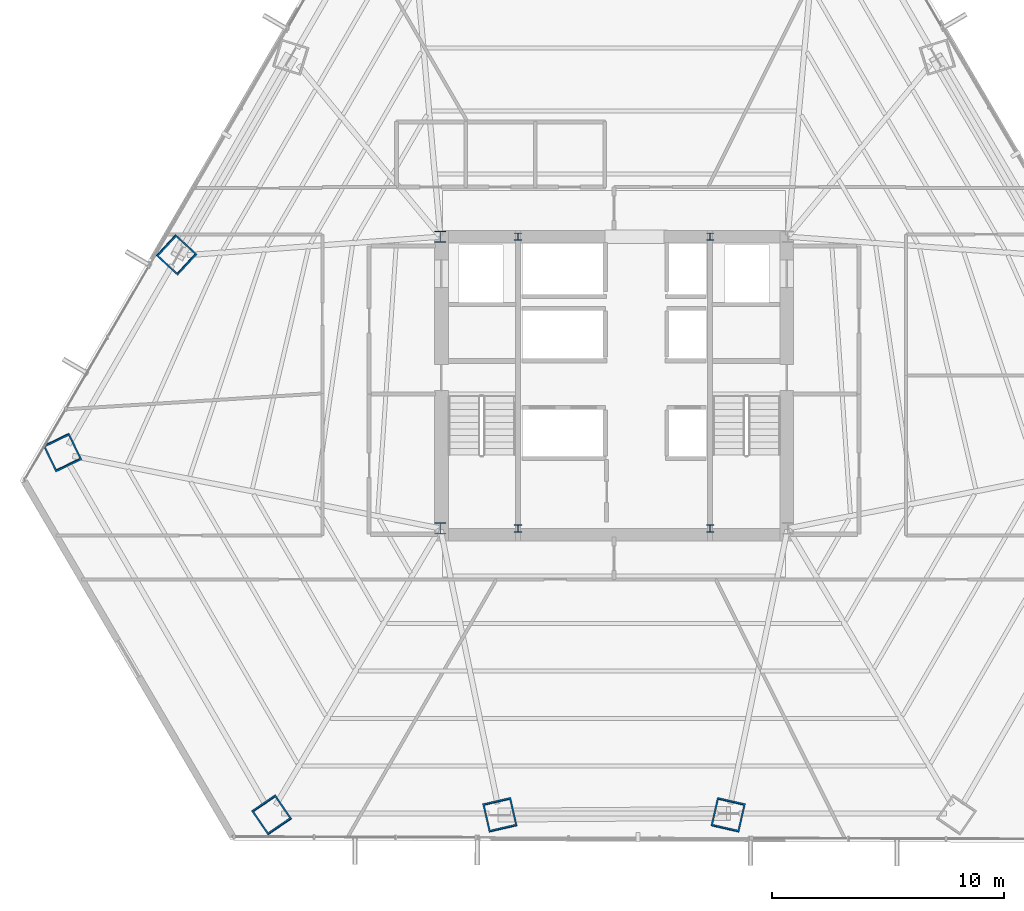
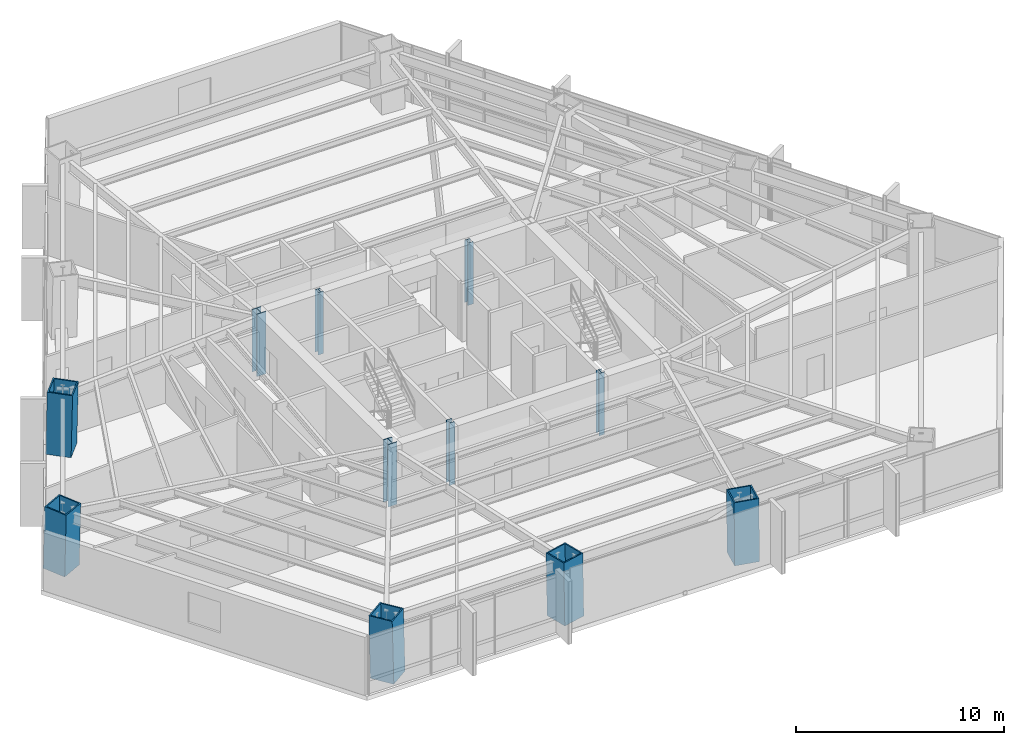
# One storey, part 1 of 33: 11 columns.
"""IFC4 building model written with IfcOpenShell, lengths in metres."""

import ifcopenshell
import ifcopenshell.guid

model = None  # the IFC model being written
_history = None  # IfcOwnerHistory: only IFC2X3 demands one
_inside = {}  # id of a spatial element -> (the spatial element, [elements in it])
_under = {}  # id of a project, library or spatial element -> (it, [spatial elements below it])
_declared = {}  # id of a project -> (the project, [libraries it declares])
_typed = {}  # id of a type object -> (the type object, [elements of that type])
_made_of = {}  # id of a material, layer set ... -> (it, [elements and type objects made of it])


def new_model(schema):
    """Start an empty IFC model of exactly this schema.

    Asked for "IFC4X3", IfcOpenShell would pick the latest addendum, in which some entities
    have other attributes; the version numbers below select the first issue.
    IFC2X3 requires an IfcOwnerHistory on every rooted entity: one is made here for all.
    """
    global model, _history
    if schema == "IFC4X3":
        model = ifcopenshell.file(schema_version=(4, 3, 0, 0))
    else:
        model = ifcopenshell.file(schema=schema)
    _inside.clear()
    _under.clear()
    _declared.clear()
    _typed.clear()
    _made_of.clear()
    _history = None
    if model.schema == "IFC2X3":
        org = make("IfcOrganization", Name="unknown")
        user = make(
            "IfcPersonAndOrganization",
            ThePerson=make("IfcPerson", FamilyName="unknown"),
            TheOrganization=org,
        )
        app = make(
            "IfcApplication",
            ApplicationDeveloper=org,
            Version="unknown",
            ApplicationFullName="unknown",
            ApplicationIdentifier="unknown",
        )
        _history = make(
            "IfcOwnerHistory",
            OwningUser=user,
            OwningApplication=app,
            ChangeAction="ADDED",
            CreationDate=0,
        )
    return model


def make(cls, **values):
    """One entity of the class cls with the attributes given. An attribute that is None is left unset."""
    return model.create_entity(
        cls, **{name: value for name, value in values.items() if value is not None}
    )


def rooted(cls, **values):
    """An entity with a GlobalId (a new one), such as an element, a storey or a relation."""
    return make(cls, GlobalId=ifcopenshell.guid.new(), OwnerHistory=_history, **values)


def si_unit(unit_type, name, prefix=None):
    """IfcSIUnit, for example si_unit("LENGTHUNIT", "METRE", prefix="MILLI")."""
    return make("IfcSIUnit", UnitType=unit_type, Prefix=prefix, Name=name)


def assignment(units):
    """IfcUnitAssignment: the units of a project."""
    return None if units is None else make("IfcUnitAssignment", Units=units)


def point(xyz):
    """IfcCartesianPoint."""
    return None if xyz is None else make("IfcCartesianPoint", Coordinates=xyz)


def direction(xyz):
    """IfcDirection."""
    return None if xyz is None else make("IfcDirection", DirectionRatios=xyz)


def frame(location, z_axis=None, x_axis=None):
    """IfcAxis2Placement3D, a coordinate frame: its origin and axes. An axis left out is left unset."""
    return make(
        "IfcAxis2Placement3D",
        Location=point(location),
        Axis=direction(z_axis),
        RefDirection=direction(x_axis),
    )


def frame_2d(location, x_axis=None):
    """IfcAxis2Placement2D, a coordinate frame in the plane: its origin and x axis."""
    return make(
        "IfcAxis2Placement2D", Location=point(location), RefDirection=direction(x_axis)
    )


def origin():
    """The frame at (0, 0, 0) with its axes left unset."""
    return frame((0.0, 0.0, 0.0))


def origin_2d():
    """The frame at (0, 0) in the plane with its x axis left unset."""
    return frame_2d((0.0, 0.0))


def place(relative_to, where):
    """IfcLocalPlacement: puts the frame where relative to a parent placement (None: the world)."""
    return make(
        "IfcLocalPlacement", PlacementRelTo=relative_to, RelativePlacement=where
    )


def context(
    kind, dimensions, precision=None, world=None, true_north=None, identifier=None
):
    """IfcGeometricRepresentationContext, for example the 3D "Model" context."""
    return make(
        "IfcGeometricRepresentationContext",
        ContextIdentifier=identifier,
        ContextType=kind,
        CoordinateSpaceDimension=dimensions,
        Precision=precision,
        WorldCoordinateSystem=world,
        TrueNorth=true_north,
    )


def subcontext(parent, identifier, kind, view, scale=None):
    """IfcGeometricRepresentationSubContext, for example "Body" below "Model"."""
    return make(
        "IfcGeometricRepresentationSubContext",
        ContextIdentifier=identifier,
        ContextType=kind,
        ParentContext=parent,
        TargetScale=scale,
        TargetView=view,
    )


def project(units=None, contexts=None):
    """IfcProject with its units and contexts."""
    return rooted(
        "IfcProject",
        Name="project",
        RepresentationContexts=contexts,
        UnitsInContext=assignment(units),
    )


def spatial(cls, under=None, at=None, **own):
    """A site, building, storey or space (cls), placed at a placement, below another one or the project."""
    s = rooted(cls, ObjectPlacement=at, **own)
    if under is not None:
        _under.setdefault(under.id(), (under, []))[1].append(s)
    return s


def profile(cls, at=None, kind="AREA", **sizes):
    """A parametric profile (cls). Its sizes go by their IFC names, for example OverallWidth=200.0."""
    return make(cls, ProfileType=kind, Position=at, **sizes)


def hollow_rectangle(**sizes):
    """IfcRectangleHollowProfileDef."""
    return profile("IfcRectangleHollowProfileDef", **sizes)


def i_section(**sizes):
    """IfcIShapeProfileDef."""
    return profile("IfcIShapeProfileDef", **sizes)


def extrude(swept, where, along, depth):
    """IfcExtrudedAreaSolid: the profile swept, set in the frame where, extruded along a direction by depth."""
    return make(
        "IfcExtrudedAreaSolid",
        SweptArea=swept,
        Position=where,
        ExtrudedDirection=direction(along),
        Depth=depth,
    )


def shape(context_of_items, identifier, shape_type, items):
    """IfcShapeRepresentation: the items that make up one representation, for example the "Body"."""
    return make(
        "IfcShapeRepresentation",
        ContextOfItems=context_of_items,
        RepresentationIdentifier=identifier,
        RepresentationType=shape_type,
        Items=items,
    )


def source(mapping_origin, context_of_items, identifier, shape_type, items):
    """IfcRepresentationMap: a shape defined once, which mapped items show again and again."""
    return make(
        "IfcRepresentationMap",
        MappingOrigin=mapping_origin,
        MappedRepresentation=shape(context_of_items, identifier, shape_type, items),
    )


def transform(
    local_origin,
    x_axis=None,
    y_axis=None,
    z_axis=None,
    scale=None,
    scale2=None,
    scale3=None,
    uniform=True,
):
    """IfcCartesianTransformationOperator3D, or its non-uniform kind. x_axis, y_axis, z_axis: its Axis1, 2, 3."""
    if uniform:
        return make(
            "IfcCartesianTransformationOperator3D",
            Axis1=direction(x_axis),
            Axis2=direction(y_axis),
            LocalOrigin=point(local_origin),
            Scale=scale,
            Axis3=direction(z_axis),
        )
    return make(
        "IfcCartesianTransformationOperator3DnonUniform",
        Axis1=direction(x_axis),
        Axis2=direction(y_axis),
        LocalOrigin=point(local_origin),
        Scale=scale,
        Axis3=direction(z_axis),
        Scale2=scale2,
        Scale3=scale3,
    )


def mapped(mapping_source, mapping_target):
    """IfcMappedItem: shows the shape of a source again, moved by a transform."""
    return make(
        "IfcMappedItem", MappingSource=mapping_source, MappingTarget=mapping_target
    )


def material(Name=None, Category=None):
    """IfcMaterial."""
    return make("IfcMaterial", Name=Name, Category=Category)


def material_profile(
    of_material, cross_section, Name=None, Category=None, Priority=None
):
    """IfcMaterialProfile: a cross section and its material."""
    return make(
        "IfcMaterialProfile",
        Name=Name,
        Material=of_material,
        Profile=cross_section,
        Priority=Priority,
        Category=Category,
    )


def profile_set(profiles, Name=None, composite=None):
    """IfcMaterialProfileSet."""
    return make(
        "IfcMaterialProfileSet",
        Name=Name,
        MaterialProfiles=profiles,
        CompositeProfile=composite,
    )


def made_of(thing, what):
    """Note that an element or type object is made of a material, layer set ...; save() writes the relation."""
    if what is not None:
        _made_of.setdefault(what.id(), (what, []))[1].append(thing)
    return thing


def type_object(cls, material=None, **own):
    """A type object (cls), such as IfcWallType, which elements share."""
    return made_of(rooted(cls, **own), material)


def type_shapes(of_type, sources):
    """Give a type object the sources (RepresentationMaps) that its elements show as mapped items."""
    of_type.RepresentationMaps = sources


def element(
    cls,
    number,
    at=None,
    inside=None,
    cuts=None,
    type_object=None,
    material=None,
    context=None,
    identifier="Body",
    shape_type=None,
    held_by="IfcProductDefinitionShape",
    body=None,
    shapes=None,
    **own,
):
    """One element of the class cls, such as IfcWall. Its Tag is "e" and its number.

    at: its placement. inside: the storey or other place that contains it. cuts: it is an
    opening in that element (IfcRelVoidsElement). A single representation is given by context,
    identifier, shape_type and body (its items); several are given by shapes. held_by: the class
    of the entity that holds the representations. save() writes the other relations.
    """
    e = rooted(cls, Tag="e%d" % number, ObjectPlacement=at, **own)
    if body is not None:
        shapes = [shape(context, identifier, shape_type, body)]
    if shapes is not None:
        e.Representation = make(held_by, Representations=shapes)
    if inside is not None:
        _inside.setdefault(inside.id(), (inside, []))[1].append(e)
    if cuts is not None:
        rooted(
            "IfcRelVoidsElement", RelatingBuildingElement=cuts, RelatedOpeningElement=e
        )
    if type_object is not None:
        _typed.setdefault(type_object.id(), (type_object, []))[1].append(e)
    return made_of(e, material)


def aggregate(whole, parts):
    """IfcRelAggregates: a whole, such as a stair, and the parts it consists of."""
    return rooted("IfcRelAggregates", RelatingObject=whole, RelatedObjects=parts)


def save(model, path):
    """Write the relations noted so far, then the file.

    IfcRelAggregates (storeys below a building ...), IfcRelContainedInSpatialStructure (elements
    in a storey), IfcRelDefinesByType, IfcRelAssociatesMaterial and IfcRelDeclares: one each for
    every whole, place, type object, material and project.
    """
    for whole, parts in _under.values():
        aggregate(whole, parts)
    for where, things in _inside.values():
        rooted(
            "IfcRelContainedInSpatialStructure",
            RelatedElements=things,
            RelatingStructure=where,
        )
    for kind, things in _typed.values():
        rooted("IfcRelDefinesByType", RelatedObjects=things, RelatingType=kind)
    for what, things in _made_of.values():
        rooted("IfcRelAssociatesMaterial", RelatedObjects=things, RelatingMaterial=what)
    for by, libraries in _declared.values():
        rooted("IfcRelDeclares", RelatingContext=by, RelatedDefinitions=libraries)
    model.write(path)


model = new_model("IFC4")

# Units and contexts
model_context = context("Model", 3, precision=1e-05, world=origin(), true_north=direction((0.0, 1.0)))
body_context = subcontext(model_context, "Body", "Model", "MODEL_VIEW")
ifc_project = project(units=[si_unit("LENGTHUNIT", "METRE"), si_unit("AREAUNIT", "SQUARE_METRE"), si_unit("VOLUMEUNIT", "CUBIC_METRE"), si_unit("PLANEANGLEUNIT", "RADIAN"), si_unit("MASSUNIT", "GRAM", prefix="KILO")], contexts=[model_context])

# Site, building, storey
site_placement = place(None, origin())
site = spatial("IfcSite", under=ifc_project, at=site_placement, CompositionType="ELEMENT")
building_placement = place(site_placement, origin())
building = spatial("IfcBuilding", under=site, at=building_placement, Name="Caelisora Broadcast Tower", CompositionType="ELEMENT")
storey_placement = place(building_placement, frame((0.0, 0.0, 38.550048828125)))
storey = spatial("IfcBuildingStorey", under=building, at=storey_placement, Name="L09", CompositionType="ELEMENT", Elevation=38.550048828125)

# Columns
ifc_material_1 = material(Name="Steel Grade 350 (AS/NZS 3679.2)", Category="steel")
ifc_material_profile_1 = material_profile(ifc_material_1, i_section(OverallWidth=0.5, OverallDepth=0.5, WebThickness=0.028076171875, FlangeThickness=0.0400390625, at=origin_2d()), Name="Steel Grade 350 (AS/NZS 3679.2)")
ifc_profile_set_1 = profile_set([ifc_material_profile_1], Name="Steel Grade 350 (AS/NZS 3679.2)")
column_type_1 = type_object("IfcColumnType", Name="CC01", PredefinedType="COLUMN", material=ifc_profile_set_1)
shared_shape_1 = source(origin(), body_context, "Body", "SweptSolid", [
    extrude(i_section(OverallWidth=0.5, OverallDepth=0.5, WebThickness=0.028076171875, FlangeThickness=0.0400390625, at=origin_2d()), origin(), (0.0, 0.0, 1.0), 3.64990234375),
])
type_shapes(column_type_1, [shared_shape_1])
for number, where, z_axis, x_axis, name in (
    (1, (30.5, 17.39990234375, 0.0), (0.0, 0.0, 1.0), (1.0, 0.0, 0.0), "L09 column CC01"),
    (2, (30.5, 30.0, 0.0), (0.0, 0.0, 1.0), (1.0, 0.0, 0.0), "L09 column CC01"),
):
    element("IfcColumn", number, at=place(storey_placement, frame(where, z_axis=z_axis, x_axis=x_axis)), inside=storey, type_object=column_type_1, Name=name, PredefinedType="COLUMN", context=body_context, shape_type="MappedRepresentation", body=[
        mapped(shared_shape_1, transform((0.0, 0.0, 0.0), scale=1.0)),
    ])
ifc_material_2 = material(Name="Steel Grade 350 (AS/NZS 3679.1)", Category="steel")
ifc_material_profile_2 = material_profile(ifc_material_2, i_section(OverallWidth=0.306884765625, OverallDepth=0.314697265625, WebThickness=0.011962890625, FlangeThickness=0.018798828125, at=origin_2d()), Name="Steel Grade 350 (AS/NZS 3679.1)")
ifc_profile_set_2 = profile_set([ifc_material_profile_2], Name="Steel Grade 350 (AS/NZS 3679.1)")
column_type_2 = type_object("IfcColumnType", Name="CC04", PredefinedType="COLUMN", material=ifc_profile_set_2)
shared_shape_2 = source(origin(), body_context, "Body", "SweptSolid", [
    extrude(i_section(OverallWidth=0.306884765625, OverallDepth=0.314697265625, WebThickness=0.011962890625, FlangeThickness=0.018798828125, at=origin_2d()), origin(), (0.0, 0.0, 1.0), 3.64990234375),
])
type_shapes(column_type_2, [shared_shape_2])
for number, where, z_axis, x_axis, name in (
    (3, (33.85009765625, 17.39990234375, 0.0), (0.0, 0.0, 1.0), (1.0, 0.0, 0.0), "L09 column CC04"),
    (4, (42.14990234375, 17.39990234375, 0.0), (0.0, 0.0, 1.0), (1.0, 0.0, 0.0), "L09 column CC04"),
    (5, (33.85009765625, 30.0, 0.0), (0.0, 0.0, 1.0), (1.0, 0.0, 0.0), "L09 column CC04"),
    (6, (42.14990234375, 30.0, 0.0), (0.0, 0.0, 1.0), (1.0, 0.0, 0.0), "L09 column CC04"),
):
    element("IfcColumn", number, at=place(storey_placement, frame(where, z_axis=z_axis, x_axis=x_axis)), inside=storey, type_object=column_type_2, Name=name, PredefinedType="COLUMN", context=body_context, shape_type="MappedRepresentation", body=[
        mapped(shared_shape_2, transform((0.0, 0.0, 0.0), scale=1.0)),
    ])
ifc_material_3 = material(Name="Steel Grade 350 L15 (AS/NZS 3678)", Category="steel")
ifc_material_profile_3 = material_profile(ifc_material_3, hollow_rectangle(XDim=1.25, YDim=1.25, WallThickness=0.070068359375, at=origin_2d()), Name="Steel Grade 350 L15 (AS/NZS 3678)")
ifc_profile_set_3 = profile_set([ifc_material_profile_3], Name="Steel Grade 350 L15 (AS/NZS 3678)")
column_type_3 = type_object("IfcColumnType", Name="MC02", PredefinedType="COLUMN", material=ifc_profile_set_3)
shared_shape_3 = source(origin(), body_context, "Body", "SweptSolid", [
    extrude(hollow_rectangle(XDim=1.25, YDim=1.25, WallThickness=0.070068359375, at=origin_2d()), origin(), (0.0, 0.0, 1.0), 3.65087890625),
])
for number, where, z_axis, x_axis, name in (
    (7, (14.170166015625, 20.69189453125, 0.0), (0.010431780378, -0.021599135014, 0.999712286273), (0.900476348161, 0.434904985489, 0.0), "L09 column MC02"),
    (8, (23.22021484375, 5.016845703125, 0.0), (-0.013507825582, 0.019793645407, 0.999712833893), (-0.825991119814, -0.563683129062, 0.0), "L09 column MC02"),
):
    element("IfcColumn", number, at=place(storey_placement, frame(where, z_axis=z_axis, x_axis=x_axis)), inside=storey, type_object=column_type_3, Name=name, PredefinedType="COLUMN", context=body_context, shape_type="MappedRepresentation", body=[
        mapped(shared_shape_3, transform((0.0, 0.0, 0.0), scale=1.0)),
    ])
shared_shape_4 = source(origin(), body_context, "Body", "SweptSolid", [
    extrude(hollow_rectangle(XDim=1.25, YDim=1.25, WallThickness=0.070068359375, at=origin_2d()), origin(), (0.0, 0.0, 1.0), 3.650634765625),
])
type_shapes(column_type_3, [shared_shape_3, shared_shape_4])
for number, where, z_axis, x_axis, name in (
    (9, (19.0966796875, 29.22509765625, 0.0), (0.014980160436, -0.01384327326, 0.999791957649), (0.67868852459, 0.734426229508, 0.0), "L09 column MC02"),
    (10, (33.073486328125, 5.016845703125, 0.0), (-0.004547556686, 0.019795246753, 0.99979371269), (-0.974612694662, -0.223897510936, 0.0), "L09 column MC02"),
    (11, (42.926513671875, 5.016845703125, 0.0), (0.004547556686, 0.019795246753, 0.99979371269), (-0.974612694662, 0.223897510936, 0.0), "L09 column MC02"),
):
    element("IfcColumn", number, at=place(storey_placement, frame(where, z_axis=z_axis, x_axis=x_axis)), inside=storey, type_object=column_type_3, Name=name, PredefinedType="COLUMN", context=body_context, shape_type="MappedRepresentation", body=[
        mapped(shared_shape_4, transform((0.0, 0.0, 0.0), scale=1.0)),
    ])

save(model, "model.ifc")
